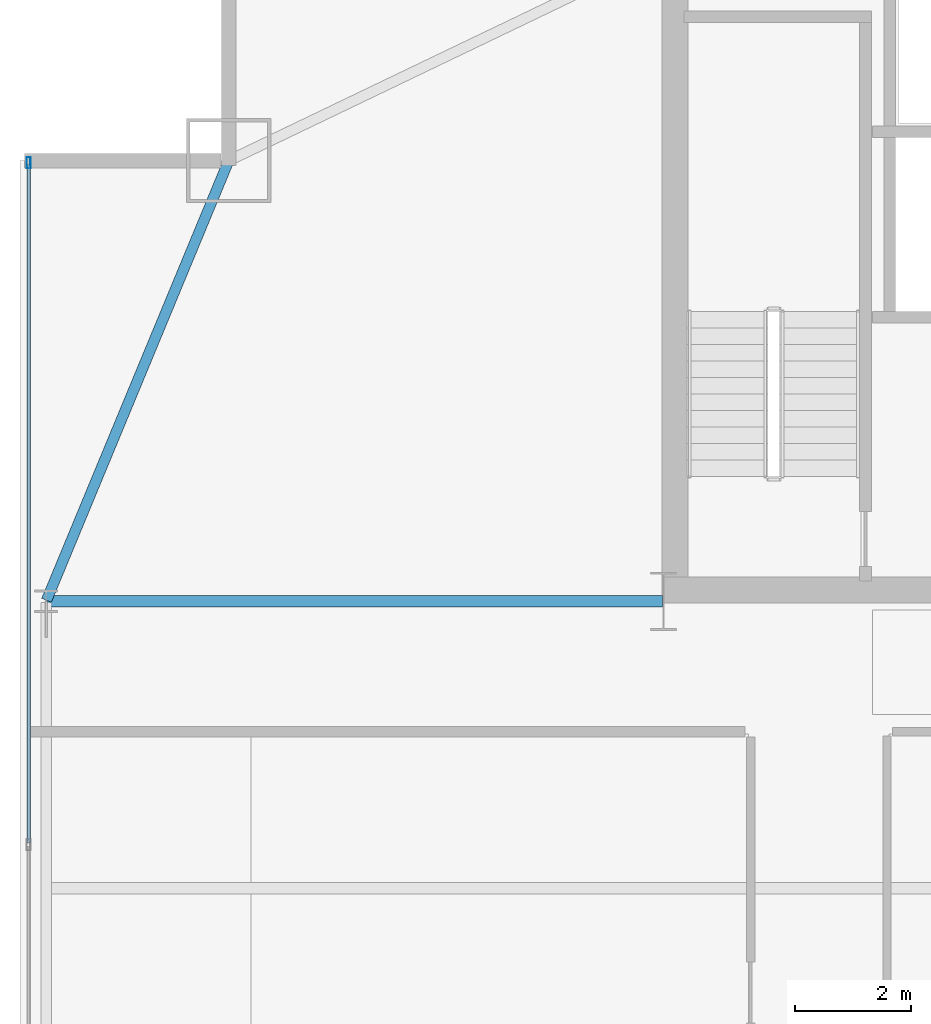
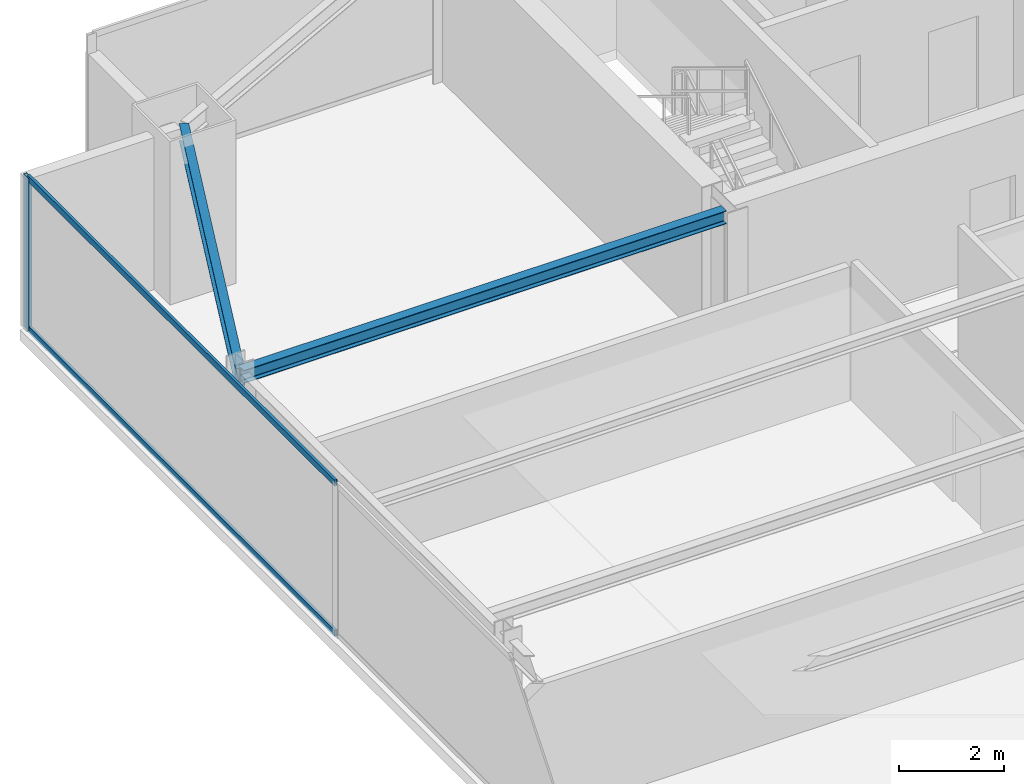
# One storey, part 21 of 36: 3 members, 2 beams, 1 element without a shape of its own.
"""IFC4 building model written with IfcOpenShell, lengths in metres."""

from ifc_helpers import new_model, si_unit, direction, frame, origin, origin_2d, place, context, subcontext, project, spatial, hollow_rectangle, i_section, extrude, source, transform, mapped, material, layer, layer_set, material_profile, profile_set, type_object, type_shapes, element, aggregate, save


model = new_model("IFC4")

# Units and contexts
model_context = context("Model", 3, precision=1e-05, world=origin(), true_north=direction((0.0, 1.0)))
body_context = subcontext(model_context, "Body", "Model", "MODEL_VIEW")
ifc_project = project(units=[si_unit("LENGTHUNIT", "METRE"), si_unit("AREAUNIT", "SQUARE_METRE"), si_unit("VOLUMEUNIT", "CUBIC_METRE"), si_unit("PLANEANGLEUNIT", "RADIAN"), si_unit("MASSUNIT", "GRAM", prefix="KILO")], contexts=[model_context])

# Site, building, storey
site_placement = place(None, origin())
site = spatial("IfcSite", under=ifc_project, at=site_placement, CompositionType="ELEMENT")
building_placement = place(site_placement, origin())
building = spatial("IfcBuilding", under=site, at=building_placement, Name="Varnel Quay Broadcast Tower", CompositionType="ELEMENT")
storey_placement = place(building_placement, frame((0.0, 0.0, 114.39990234375)))
storey = spatial("IfcBuildingStorey", under=building, at=storey_placement, Name="L27", CompositionType="ELEMENT", Elevation=114.39990234375)

# Beams
ifc_material_1 = material(Name="Structural Steel CSA G40.21 350W", Category="steel")
ifc_material_profile_1 = material_profile(ifc_material_1, i_section(OverallWidth=0.180908203125, OverallDepth=0.4169921875, WebThickness=0.010986328125, FlangeThickness=0.018310546875, FilletRadius=0.011962890625, at=origin_2d()), Name="W410X85")
ifc_profile_set_1 = profile_set([ifc_material_profile_1], Name="Structural Steel CSA G40.21 350W")
beam_type_1 = type_object("IfcBeamType", Name="Beam_W410X85", PredefinedType="SPANDREL", material=ifc_profile_set_1)
shared_shape_1 = source(origin(), body_context, "Body", "SweptSolid", [
    extrude(i_section(OverallWidth=0.180908203125, OverallDepth=0.4169921875, WebThickness=0.010986328125, FlangeThickness=0.018310546875, FilletRadius=0.011962890625, at=origin_2d()), origin(), (0.0, 0.0, 1.0), 8.186767578125),
])
type_shapes(beam_type_1, [shared_shape_1])
beam_1_placement = place(storey_placement, frame((4.957763671875, 35.618408203125, 3.341552734375), z_axis=(0.382874132092, 0.923800519038, 0.0), x_axis=(-0.923800519038, 0.382874132092, 0.0)))
element("IfcBeam", 1, at=beam_1_placement, inside=storey, type_object=beam_type_1, Name="L27 West Spandrel TC-W3-MC-NW", PredefinedType="SPANDREL", context=body_context, shape_type="MappedRepresentation", body=[
    mapped(shared_shape_1, transform((0.0, 0.0, 0.0), x_axis=(1.0, 0.0, 0.0), y_axis=(0.0, 1.0, 0.0), z_axis=(0.0, 0.0, 1.0), scale=1.0)),
])
ifc_material_profile_2 = material_profile(ifc_material_1, i_section(OverallWidth=0.202880859375, OverallDepth=0.302978515625, WebThickness=0.007568359375, FlangeThickness=0.01318359375, FilletRadius=0.011962890625, at=origin_2d()), Name="W310X60")
ifc_profile_set_2 = profile_set([ifc_material_profile_2], Name="Structural Steel CSA G40.21 350W")
beam_type_2 = type_object("IfcBeamType", Name="Beam_W310X60", PredefinedType="JOIST", material=ifc_profile_set_2)
shared_shape_2 = source(origin(), body_context, "Body", "SweptSolid", [
    extrude(i_section(OverallWidth=0.202880859375, OverallDepth=0.302978515625, WebThickness=0.007568359375, FlangeThickness=0.01318359375, FilletRadius=0.011962890625, at=origin_2d()), origin(), (0.0, 0.0, 1.0), 10.610107421875),
])
type_shapes(beam_type_2, [shared_shape_2])
beam_2_placement = place(storey_placement, frame((4.969970703125, 35.60009765625, 3.398681640625), z_axis=(1.0, 0.0, 0.0), x_axis=(0.0, 1.0, 0.0)))
element("IfcBeam", 2, at=beam_2_placement, inside=storey, type_object=beam_type_2, Name="L27 West Core Tie Joist", PredefinedType="JOIST", context=body_context, shape_type="MappedRepresentation", body=[
    mapped(shared_shape_2, transform((0.0, 0.0, 0.0), x_axis=(1.0, 0.0, 0.0), y_axis=(0.0, 1.0, 0.0), z_axis=(0.0, 0.0, 1.0), scale=1.0)),
])

# Curtain wall, members
ifc_material_2 = material(Name="Anodised Bronze Aluminium 6063-T6", Category="aluminium")
ifc_layer = layer(ifc_material_2, 0.18994140625, Name="Anodised Bronze Aluminium 6063-T6")
ifc_layer_set = layer_set([ifc_layer], Name="Anodised Bronze Aluminium 6063-T6")
curtain_wall_type = type_object("IfcCurtainWallType", Name="CW_LowerTower", PredefinedType="NOTDEFINED", material=ifc_layer_set)
curtain_wall_placement = place(storey_placement, origin())
curtain_wall = element("IfcCurtainWall", 3, at=curtain_wall_placement, inside=storey, type_object=curtain_wall_type, Name="L27 West Unitised Curtain Wall", PredefinedType="NOTDEFINED")
ifc_material_profile_3 = material_profile(ifc_material_2, hollow_rectangle(XDim=0.070068359375, YDim=0.18994140625, WallThickness=0.00390625, at=origin_2d()), Name="ALU70X190X4")
ifc_profile_set_3 = profile_set([ifc_material_profile_3], Name="Anodised Bronze Aluminium 6063-T6")
member_type_1 = type_object("IfcMemberType", Name="Mull_CWS-02", PredefinedType="MULLION", material=ifc_profile_set_3)
shared_shape_3 = source(origin(), body_context, "Body", "SweptSolid", [
    extrude(hollow_rectangle(XDim=0.070068359375, YDim=0.18994140625, WallThickness=0.00390625, at=origin_2d()), origin(), (0.0, 0.0, 1.0), 3.550048828125),
])
type_shapes(member_type_1, [shared_shape_3])
member_1_placement = place(storey_placement, frame((4.64990234375, 43.1650390625, 0.0), z_axis=(0.0, 0.0, 1.0), x_axis=(-1.0, 0.0, 0.0)))
member_1 = element("IfcMember", 4, at=member_1_placement, type_object=member_type_1, Name="CWS-02 mullion 4", PredefinedType="MULLION", context=body_context, shape_type="MappedRepresentation", body=[
    mapped(shared_shape_3, transform((0.0, 0.0, 0.0), x_axis=(1.0, 0.0, 0.0), y_axis=(0.0, 1.0, 0.0), z_axis=(0.0, 0.0, 1.0), scale=1.0)),
])
ifc_material_profile_4 = material_profile(ifc_material_2, hollow_rectangle(XDim=0.06005859375, YDim=0.14501953125, WallThickness=0.00341796875, at=origin_2d()), Name="ALU60X145X3.5")
ifc_profile_set_4 = profile_set([ifc_material_profile_4], Name="Anodised Bronze Aluminium 6063-T6")
member_type_2 = type_object("IfcMemberType", Name="Tran_CWS-02", PredefinedType="USERDEFINED", material=ifc_profile_set_4)
shared_shape_4 = source(origin(), body_context, "Body", "SweptSolid", [
    extrude(hollow_rectangle(XDim=0.06005859375, YDim=0.14501953125, WallThickness=0.00341796875, at=origin_2d()), origin(), (0.0, 0.0, 1.0), 11.69482421875),
])
type_shapes(member_type_2, [shared_shape_4])
member_2_placement = place(storey_placement, frame((4.64990234375, 31.43505859375, 0.030029296875), z_axis=(0.0, 1.0, 0.0), x_axis=(-1.0, 0.0, 0.0)))
member_2 = element("IfcMember", 5, at=member_2_placement, type_object=member_type_2, Name="CWS-02 transom 3.1", ObjectType="TRANSOM", PredefinedType="USERDEFINED", context=body_context, shape_type="MappedRepresentation", body=[
    mapped(shared_shape_4, transform((0.0, 0.0, 0.0), x_axis=(1.0, 0.0, 0.0), y_axis=(0.0, 1.0, 0.0), z_axis=(0.0, 0.0, 1.0), scale=1.0)),
])
member_3_placement = place(storey_placement, frame((4.64990234375, 31.43505859375, 3.52001953125), z_axis=(0.0, 1.0, 0.0), x_axis=(-1.0, 0.0, 0.0)))
member_3 = element("IfcMember", 6, at=member_3_placement, type_object=member_type_2, Name="CWS-02 transom 3.2", ObjectType="TRANSOM", PredefinedType="USERDEFINED", context=body_context, shape_type="MappedRepresentation", body=[
    mapped(shared_shape_4, transform((0.0, 0.0, 0.0), x_axis=(1.0, 0.0, 0.0), y_axis=(0.0, 1.0, 0.0), z_axis=(0.0, 0.0, 1.0), scale=1.0)),
])
aggregate(curtain_wall, [member_1, member_2, member_3])

save(model, "model.ifc")
